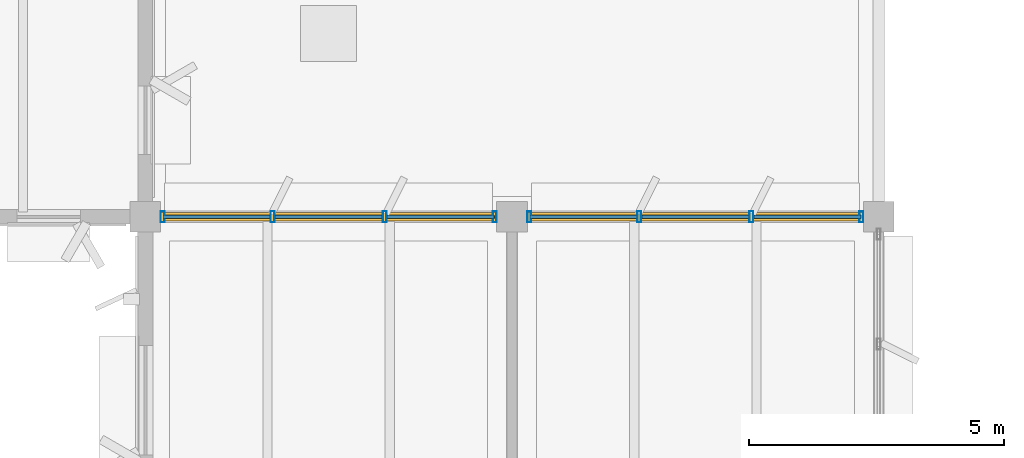
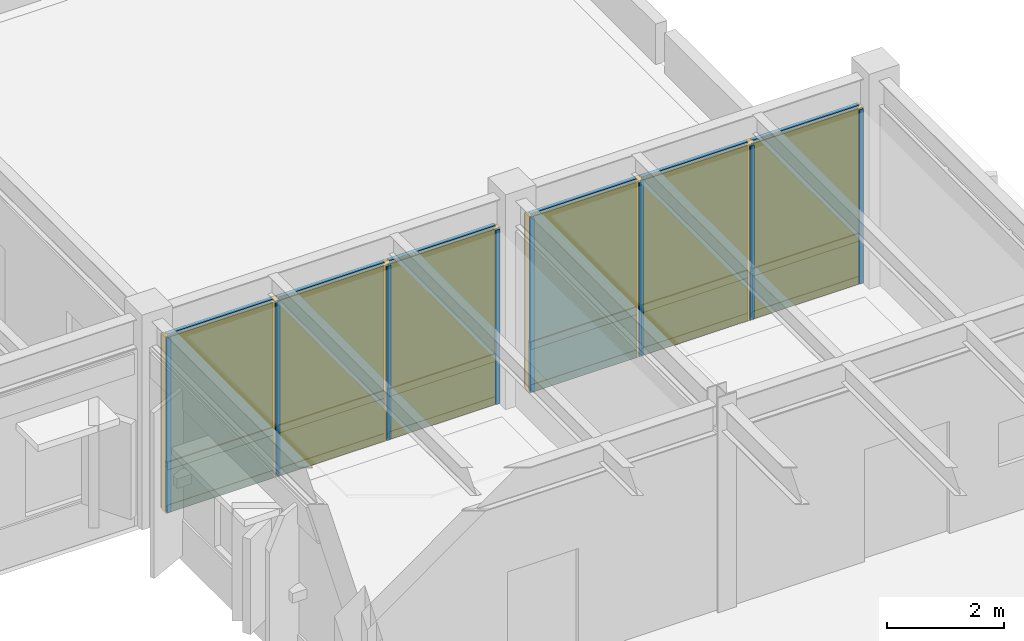
# One storey, part 65 of 92: 26 members, 12 plates, 2 curtain walls.
"""IFC4 building model written with IfcOpenShell, lengths in metres."""

import ifcopenshell
import ifcopenshell.guid

model = None  # the IFC model being written
_history = None  # IfcOwnerHistory: only IFC2X3 demands one
_inside = {}  # id of a spatial element -> (the spatial element, [elements in it])
_under = {}  # id of a project, library or spatial element -> (it, [spatial elements below it])
_declared = {}  # id of a project -> (the project, [libraries it declares])
_typed = {}  # id of a type object -> (the type object, [elements of that type])
_made_of = {}  # id of a material, layer set ... -> (it, [elements and type objects made of it])


def new_model(schema):
    """Start an empty IFC model of exactly this schema.

    Asked for "IFC4X3", IfcOpenShell would pick the latest addendum, in which some entities
    have other attributes; the version numbers below select the first issue.
    IFC2X3 requires an IfcOwnerHistory on every rooted entity: one is made here for all.
    """
    global model, _history
    if schema == "IFC4X3":
        model = ifcopenshell.file(schema_version=(4, 3, 0, 0))
    else:
        model = ifcopenshell.file(schema=schema)
    _inside.clear()
    _under.clear()
    _declared.clear()
    _typed.clear()
    _made_of.clear()
    _history = None
    if model.schema == "IFC2X3":
        org = make("IfcOrganization", Name="unknown")
        user = make(
            "IfcPersonAndOrganization",
            ThePerson=make("IfcPerson", FamilyName="unknown"),
            TheOrganization=org,
        )
        app = make(
            "IfcApplication",
            ApplicationDeveloper=org,
            Version="unknown",
            ApplicationFullName="unknown",
            ApplicationIdentifier="unknown",
        )
        _history = make(
            "IfcOwnerHistory",
            OwningUser=user,
            OwningApplication=app,
            ChangeAction="ADDED",
            CreationDate=0,
        )
    return model


def make(cls, **values):
    """One entity of the class cls with the attributes given. An attribute that is None is left unset."""
    return model.create_entity(
        cls, **{name: value for name, value in values.items() if value is not None}
    )


def rooted(cls, **values):
    """An entity with a GlobalId (a new one), such as an element, a storey or a relation."""
    return make(cls, GlobalId=ifcopenshell.guid.new(), OwnerHistory=_history, **values)


def si_unit(unit_type, name, prefix=None):
    """IfcSIUnit, for example si_unit("LENGTHUNIT", "METRE", prefix="MILLI")."""
    return make("IfcSIUnit", UnitType=unit_type, Prefix=prefix, Name=name)


def assignment(units):
    """IfcUnitAssignment: the units of a project."""
    return None if units is None else make("IfcUnitAssignment", Units=units)


def point(xyz):
    """IfcCartesianPoint."""
    return None if xyz is None else make("IfcCartesianPoint", Coordinates=xyz)


def direction(xyz):
    """IfcDirection."""
    return None if xyz is None else make("IfcDirection", DirectionRatios=xyz)


def frame(location, z_axis=None, x_axis=None):
    """IfcAxis2Placement3D, a coordinate frame: its origin and axes. An axis left out is left unset."""
    return make(
        "IfcAxis2Placement3D",
        Location=point(location),
        Axis=direction(z_axis),
        RefDirection=direction(x_axis),
    )


def frame_2d(location, x_axis=None):
    """IfcAxis2Placement2D, a coordinate frame in the plane: its origin and x axis."""
    return make(
        "IfcAxis2Placement2D", Location=point(location), RefDirection=direction(x_axis)
    )


def origin():
    """The frame at (0, 0, 0) with its axes left unset."""
    return frame((0.0, 0.0, 0.0))


def origin_2d():
    """The frame at (0, 0) in the plane with its x axis left unset."""
    return frame_2d((0.0, 0.0))


def place(relative_to, where):
    """IfcLocalPlacement: puts the frame where relative to a parent placement (None: the world)."""
    return make(
        "IfcLocalPlacement", PlacementRelTo=relative_to, RelativePlacement=where
    )


def context(
    kind, dimensions, precision=None, world=None, true_north=None, identifier=None
):
    """IfcGeometricRepresentationContext, for example the 3D "Model" context."""
    return make(
        "IfcGeometricRepresentationContext",
        ContextIdentifier=identifier,
        ContextType=kind,
        CoordinateSpaceDimension=dimensions,
        Precision=precision,
        WorldCoordinateSystem=world,
        TrueNorth=true_north,
    )


def subcontext(parent, identifier, kind, view, scale=None):
    """IfcGeometricRepresentationSubContext, for example "Body" below "Model"."""
    return make(
        "IfcGeometricRepresentationSubContext",
        ContextIdentifier=identifier,
        ContextType=kind,
        ParentContext=parent,
        TargetScale=scale,
        TargetView=view,
    )


def project(units=None, contexts=None):
    """IfcProject with its units and contexts."""
    return rooted(
        "IfcProject",
        Name="project",
        RepresentationContexts=contexts,
        UnitsInContext=assignment(units),
    )


def spatial(cls, under=None, at=None, **own):
    """A site, building, storey or space (cls), placed at a placement, below another one or the project."""
    s = rooted(cls, ObjectPlacement=at, **own)
    if under is not None:
        _under.setdefault(under.id(), (under, []))[1].append(s)
    return s


def profile(cls, at=None, kind="AREA", **sizes):
    """A parametric profile (cls). Its sizes go by their IFC names, for example OverallWidth=200.0."""
    return make(cls, ProfileType=kind, Position=at, **sizes)


def rectangle(**sizes):
    """IfcRectangleProfileDef."""
    return profile("IfcRectangleProfileDef", **sizes)


def hollow_rectangle(**sizes):
    """IfcRectangleHollowProfileDef."""
    return profile("IfcRectangleHollowProfileDef", **sizes)


def extrude(swept, where, along, depth):
    """IfcExtrudedAreaSolid: the profile swept, set in the frame where, extruded along a direction by depth."""
    return make(
        "IfcExtrudedAreaSolid",
        SweptArea=swept,
        Position=where,
        ExtrudedDirection=direction(along),
        Depth=depth,
    )


def shape(context_of_items, identifier, shape_type, items):
    """IfcShapeRepresentation: the items that make up one representation, for example the "Body"."""
    return make(
        "IfcShapeRepresentation",
        ContextOfItems=context_of_items,
        RepresentationIdentifier=identifier,
        RepresentationType=shape_type,
        Items=items,
    )


def material(Name=None, Category=None):
    """IfcMaterial."""
    return make("IfcMaterial", Name=Name, Category=Category)


def layer(
    of_material, thickness, ventilated=None, Name=None, Category=None, Priority=None
):
    """IfcMaterialLayer: one layer of a wall or slab, of a material (None: an air gap)."""
    return make(
        "IfcMaterialLayer",
        Material=of_material,
        LayerThickness=thickness,
        IsVentilated=ventilated,
        Name=Name,
        Category=Category,
        Priority=Priority,
    )


def layer_set(layers, Name=None):
    """IfcMaterialLayerSet."""
    return make("IfcMaterialLayerSet", MaterialLayers=layers, LayerSetName=Name)


def material_profile(
    of_material, cross_section, Name=None, Category=None, Priority=None
):
    """IfcMaterialProfile: a cross section and its material."""
    return make(
        "IfcMaterialProfile",
        Name=Name,
        Material=of_material,
        Profile=cross_section,
        Priority=Priority,
        Category=Category,
    )


def profile_set(profiles, Name=None, composite=None):
    """IfcMaterialProfileSet."""
    return make(
        "IfcMaterialProfileSet",
        Name=Name,
        MaterialProfiles=profiles,
        CompositeProfile=composite,
    )


def made_of(thing, what):
    """Note that an element or type object is made of a material, layer set ...; save() writes the relation."""
    if what is not None:
        _made_of.setdefault(what.id(), (what, []))[1].append(thing)
    return thing


def type_object(cls, material=None, **own):
    """A type object (cls), such as IfcWallType, which elements share."""
    return made_of(rooted(cls, **own), material)


def element(
    cls,
    number,
    at=None,
    inside=None,
    cuts=None,
    type_object=None,
    material=None,
    context=None,
    identifier="Body",
    shape_type=None,
    held_by="IfcProductDefinitionShape",
    body=None,
    shapes=None,
    **own,
):
    """One element of the class cls, such as IfcWall. Its Tag is "e" and its number.

    at: its placement. inside: the storey or other place that contains it. cuts: it is an
    opening in that element (IfcRelVoidsElement). A single representation is given by context,
    identifier, shape_type and body (its items); several are given by shapes. held_by: the class
    of the entity that holds the representations. save() writes the other relations.
    """
    e = rooted(cls, Tag="e%d" % number, ObjectPlacement=at, **own)
    if body is not None:
        shapes = [shape(context, identifier, shape_type, body)]
    if shapes is not None:
        e.Representation = make(held_by, Representations=shapes)
    if inside is not None:
        _inside.setdefault(inside.id(), (inside, []))[1].append(e)
    if cuts is not None:
        rooted(
            "IfcRelVoidsElement", RelatingBuildingElement=cuts, RelatedOpeningElement=e
        )
    if type_object is not None:
        _typed.setdefault(type_object.id(), (type_object, []))[1].append(e)
    return made_of(e, material)


def aggregate(whole, parts):
    """IfcRelAggregates: a whole, such as a stair, and the parts it consists of."""
    return rooted("IfcRelAggregates", RelatingObject=whole, RelatedObjects=parts)


def save(model, path):
    """Write the relations noted so far, then the file.

    IfcRelAggregates (storeys below a building ...), IfcRelContainedInSpatialStructure (elements
    in a storey), IfcRelDefinesByType, IfcRelAssociatesMaterial and IfcRelDeclares: one each for
    every whole, place, type object, material and project.
    """
    for whole, parts in _under.values():
        aggregate(whole, parts)
    for where, things in _inside.values():
        rooted(
            "IfcRelContainedInSpatialStructure",
            RelatedElements=things,
            RelatingStructure=where,
        )
    for kind, things in _typed.values():
        rooted("IfcRelDefinesByType", RelatedObjects=things, RelatingType=kind)
    for what, things in _made_of.values():
        rooted("IfcRelAssociatesMaterial", RelatedObjects=things, RelatingMaterial=what)
    for by, libraries in _declared.values():
        rooted("IfcRelDeclares", RelatingContext=by, RelatedDefinitions=libraries)
    model.write(path)


model = new_model("IFC4")

# Units and contexts
model_context = context("Model", 3, precision=1e-05, world=origin(), true_north=direction((0.0, 1.0)))
body_context = subcontext(model_context, "Body", "Model", "MODEL_VIEW")
ifc_project = project(units=[si_unit("LENGTHUNIT", "METRE"), si_unit("AREAUNIT", "SQUARE_METRE"), si_unit("VOLUMEUNIT", "CUBIC_METRE"), si_unit("PLANEANGLEUNIT", "RADIAN"), si_unit("MASSUNIT", "GRAM", prefix="KILO")], contexts=[model_context])

# Member
ifc_material_1 = material(Name="Anodized Aluminium 6063-T6", Category="aluminium")
ifc_material_profile_1 = material_profile(ifc_material_1, hollow_rectangle(XDim=0.074951171875, YDim=0.219970703125, WallThickness=0.0048828125, at=origin_2d()), Name="ALU 75x220x5")
ifc_profile_set_1 = profile_set([ifc_material_profile_1], Name="Anodized Aluminium 6063-T6")
member_type_1 = type_object("IfcMemberType", Name="CWM-75X180", PredefinedType="MULLION", material=ifc_profile_set_1)
site_placement = place(None, origin())
building_placement = place(site_placement, origin())
storey_placement = place(building_placement, frame((0.0, 0.0, 5.39990234375)))
member_1_placement = place(storey_placement, frame((122.739990234375, 79.199951171875, 0.02001953125), z_axis=(0.0, 0.0, 1.0), x_axis=(1.0, 0.0, 0.0)))
member_1 = element("IfcMember", 1, at=member_1_placement, type_object=member_type_1, Name="Curtain wall mullion CW-L02-17-10-N-00", PredefinedType="MULLION", context=body_context, shape_type="SweptSolid", body=[
    extrude(hollow_rectangle(XDim=0.074951171875, YDim=0.219970703125, WallThickness=0.0048828125, at=origin_2d()), origin(), (0.0, 0.0, 1.0), 3.648193359375),
])

member_2_placement = place(storey_placement, frame((124.89990234375, 79.199951171875, 0.02001953125), z_axis=(0.0, 0.0, 1.0), x_axis=(1.0, 0.0, 0.0)))
member_2 = element("IfcMember", 2, at=member_2_placement, type_object=member_type_1, Name="Curtain wall mullion CW-L02-17-10-N-01", PredefinedType="MULLION", context=body_context, shape_type="SweptSolid", body=[
    extrude(hollow_rectangle(XDim=0.074951171875, YDim=0.219970703125, WallThickness=0.0048828125, at=origin_2d()), origin(), (0.0, 0.0, 1.0), 3.648193359375),
])

member_3_placement = place(storey_placement, frame((127.10009765625, 79.199951171875, 0.02001953125), z_axis=(0.0, 0.0, 1.0), x_axis=(1.0, 0.0, 0.0)))
member_3 = element("IfcMember", 3, at=member_3_placement, type_object=member_type_1, Name="Curtain wall mullion CW-L02-17-10-N-02", PredefinedType="MULLION", context=body_context, shape_type="SweptSolid", body=[
    extrude(hollow_rectangle(XDim=0.074951171875, YDim=0.219970703125, WallThickness=0.0048828125, at=origin_2d()), origin(), (0.0, 0.0, 1.0), 3.648193359375),
])

member_4_placement = place(storey_placement, frame((129.260009765625, 79.199951171875, 0.02001953125), z_axis=(0.0, 0.0, 1.0), x_axis=(1.0, 0.0, 0.0)))
member_4 = element("IfcMember", 4, at=member_4_placement, type_object=member_type_1, Name="Curtain wall mullion CW-L02-17-10-N-03", PredefinedType="MULLION", context=body_context, shape_type="SweptSolid", body=[
    extrude(hollow_rectangle(XDim=0.074951171875, YDim=0.219970703125, WallThickness=0.0048828125, at=origin_2d()), origin(), (0.0, 0.0, 1.0), 3.648193359375),
])

member_5_placement = place(storey_placement, frame((129.93994140625, 79.199951171875, 0.02001953125), z_axis=(0.0, 0.0, 1.0), x_axis=(1.0, 0.0, 0.0)))
member_5 = element("IfcMember", 5, at=member_5_placement, type_object=member_type_1, Name="Curtain wall mullion CW-L02-18-10-N-00", PredefinedType="MULLION", context=body_context, shape_type="SweptSolid", body=[
    extrude(hollow_rectangle(XDim=0.074951171875, YDim=0.219970703125, WallThickness=0.0048828125, at=origin_2d()), origin(), (0.0, 0.0, 1.0), 3.648193359375),
])

member_6_placement = place(storey_placement, frame((132.10009765625, 79.199951171875, 0.02001953125), z_axis=(0.0, 0.0, 1.0), x_axis=(1.0, 0.0, 0.0)))
member_6 = element("IfcMember", 6, at=member_6_placement, type_object=member_type_1, Name="Curtain wall mullion CW-L02-18-10-N-01", PredefinedType="MULLION", context=body_context, shape_type="SweptSolid", body=[
    extrude(hollow_rectangle(XDim=0.074951171875, YDim=0.219970703125, WallThickness=0.0048828125, at=origin_2d()), origin(), (0.0, 0.0, 1.0), 3.648193359375),
])

member_7_placement = place(storey_placement, frame((134.300048828125, 79.199951171875, 0.02001953125), z_axis=(0.0, 0.0, 1.0), x_axis=(1.0, 0.0, 0.0)))
member_7 = element("IfcMember", 7, at=member_7_placement, type_object=member_type_1, Name="Curtain wall mullion CW-L02-18-10-N-02", PredefinedType="MULLION", context=body_context, shape_type="SweptSolid", body=[
    extrude(hollow_rectangle(XDim=0.074951171875, YDim=0.219970703125, WallThickness=0.0048828125, at=origin_2d()), origin(), (0.0, 0.0, 1.0), 3.648193359375),
])

member_8_placement = place(storey_placement, frame((136.4599609375, 79.199951171875, 0.02001953125), z_axis=(0.0, 0.0, 1.0), x_axis=(1.0, 0.0, 0.0)))
member_8 = element("IfcMember", 8, at=member_8_placement, type_object=member_type_1, Name="Curtain wall mullion CW-L02-18-10-N-03", PredefinedType="MULLION", context=body_context, shape_type="SweptSolid", body=[
    extrude(hollow_rectangle(XDim=0.074951171875, YDim=0.219970703125, WallThickness=0.0048828125, at=origin_2d()), origin(), (0.0, 0.0, 1.0), 3.648193359375),
])

ifc_material_profile_2 = material_profile(ifc_material_1, hollow_rectangle(XDim=0.074951171875, YDim=0.159912109375, WallThickness=0.00390625, at=origin_2d()), Name="ALU 75x160x4")
ifc_profile_set_2 = profile_set([ifc_material_profile_2], Name="Anodized Aluminium 6063-T6")
member_type_2 = type_object("IfcMemberType", Name="CWT-75X150", PredefinedType="USERDEFINED", material=ifc_profile_set_2)
member_9_placement = place(storey_placement, frame((122.75, 79.199951171875, 0.050048828125), z_axis=(1.0, 0.0, 0.0), x_axis=(0.0, 1.0, 0.0)))
member_9 = element("IfcMember", 9, at=member_9_placement, type_object=member_type_2, Name="Curtain wall transom CW-L02-17-10-N-1.01", ObjectType="TRANSOM", PredefinedType="USERDEFINED", context=body_context, shape_type="SweptSolid", body=[
    extrude(hollow_rectangle(XDim=0.074951171875, YDim=0.159912109375, WallThickness=0.00390625, at=origin_2d()), origin(), (0.0, 0.0, 1.0), 2.10009765625),
])

member_10_placement = place(storey_placement, frame((124.949951171875, 79.199951171875, 0.050048828125), z_axis=(1.0, 0.0, 0.0), x_axis=(0.0, 1.0, 0.0)))
member_10 = element("IfcMember", 10, at=member_10_placement, type_object=member_type_2, Name="Curtain wall transom CW-L02-17-10-N-1.02", ObjectType="TRANSOM", PredefinedType="USERDEFINED", context=body_context, shape_type="SweptSolid", body=[
    extrude(hollow_rectangle(XDim=0.074951171875, YDim=0.159912109375, WallThickness=0.00390625, at=origin_2d()), origin(), (0.0, 0.0, 1.0), 2.10009765625),
])

member_11_placement = place(storey_placement, frame((127.14990234375, 79.199951171875, 0.050048828125), z_axis=(1.0, 0.0, 0.0), x_axis=(0.0, 1.0, 0.0)))
member_11 = element("IfcMember", 11, at=member_11_placement, type_object=member_type_2, Name="Curtain wall transom CW-L02-17-10-N-1.03", ObjectType="TRANSOM", PredefinedType="USERDEFINED", context=body_context, shape_type="SweptSolid", body=[
    extrude(hollow_rectangle(XDim=0.074951171875, YDim=0.159912109375, WallThickness=0.00390625, at=origin_2d()), origin(), (0.0, 0.0, 1.0), 2.10009765625),
])

member_12_placement = place(storey_placement, frame((122.75, 79.199951171875, 0.9501953125), z_axis=(1.0, 0.0, 0.0), x_axis=(0.0, 1.0, 0.0)))
member_12 = element("IfcMember", 12, at=member_12_placement, type_object=member_type_2, Name="Curtain wall transom CW-L02-17-10-N-2.01", ObjectType="TRANSOM", PredefinedType="USERDEFINED", context=body_context, shape_type="SweptSolid", body=[
    extrude(hollow_rectangle(XDim=0.074951171875, YDim=0.159912109375, WallThickness=0.00390625, at=origin_2d()), origin(), (0.0, 0.0, 1.0), 2.10009765625),
])

member_13_placement = place(storey_placement, frame((124.949951171875, 79.199951171875, 0.9501953125), z_axis=(1.0, 0.0, 0.0), x_axis=(0.0, 1.0, 0.0)))
member_13 = element("IfcMember", 13, at=member_13_placement, type_object=member_type_2, Name="Curtain wall transom CW-L02-17-10-N-2.02", ObjectType="TRANSOM", PredefinedType="USERDEFINED", context=body_context, shape_type="SweptSolid", body=[
    extrude(hollow_rectangle(XDim=0.074951171875, YDim=0.159912109375, WallThickness=0.00390625, at=origin_2d()), origin(), (0.0, 0.0, 1.0), 2.10009765625),
])

member_14_placement = place(storey_placement, frame((127.14990234375, 79.199951171875, 0.9501953125), z_axis=(1.0, 0.0, 0.0), x_axis=(0.0, 1.0, 0.0)))
member_14 = element("IfcMember", 14, at=member_14_placement, type_object=member_type_2, Name="Curtain wall transom CW-L02-17-10-N-2.03", ObjectType="TRANSOM", PredefinedType="USERDEFINED", context=body_context, shape_type="SweptSolid", body=[
    extrude(hollow_rectangle(XDim=0.074951171875, YDim=0.159912109375, WallThickness=0.00390625, at=origin_2d()), origin(), (0.0, 0.0, 1.0), 2.10009765625),
])

member_15_placement = place(storey_placement, frame((122.75, 79.199951171875, 3.63818359375), z_axis=(1.0, 0.0, 0.0), x_axis=(0.0, 1.0, 0.0)))
member_15 = element("IfcMember", 15, at=member_15_placement, type_object=member_type_2, Name="Curtain wall transom CW-L02-17-10-N-3.01", ObjectType="TRANSOM", PredefinedType="USERDEFINED", context=body_context, shape_type="SweptSolid", body=[
    extrude(hollow_rectangle(XDim=0.074951171875, YDim=0.159912109375, WallThickness=0.00390625, at=origin_2d()), origin(), (0.0, 0.0, 1.0), 2.10009765625),
])

member_16_placement = place(storey_placement, frame((124.949951171875, 79.199951171875, 3.63818359375), z_axis=(1.0, 0.0, 0.0), x_axis=(0.0, 1.0, 0.0)))
member_16 = element("IfcMember", 16, at=member_16_placement, type_object=member_type_2, Name="Curtain wall transom CW-L02-17-10-N-3.02", ObjectType="TRANSOM", PredefinedType="USERDEFINED", context=body_context, shape_type="SweptSolid", body=[
    extrude(hollow_rectangle(XDim=0.074951171875, YDim=0.159912109375, WallThickness=0.00390625, at=origin_2d()), origin(), (0.0, 0.0, 1.0), 2.10009765625),
])

member_17_placement = place(storey_placement, frame((127.14990234375, 79.199951171875, 3.63818359375), z_axis=(1.0, 0.0, 0.0), x_axis=(0.0, 1.0, 0.0)))
member_17 = element("IfcMember", 17, at=member_17_placement, type_object=member_type_2, Name="Curtain wall transom CW-L02-17-10-N-3.03", ObjectType="TRANSOM", PredefinedType="USERDEFINED", context=body_context, shape_type="SweptSolid", body=[
    extrude(hollow_rectangle(XDim=0.074951171875, YDim=0.159912109375, WallThickness=0.00390625, at=origin_2d()), origin(), (0.0, 0.0, 1.0), 2.10009765625),
])

member_18_placement = place(storey_placement, frame((129.949951171875, 79.199951171875, 0.050048828125), z_axis=(1.0, 0.0, 0.0), x_axis=(0.0, 1.0, 0.0)))
member_18 = element("IfcMember", 18, at=member_18_placement, type_object=member_type_2, Name="Curtain wall transom CW-L02-18-10-N-1.01", ObjectType="TRANSOM", PredefinedType="USERDEFINED", context=body_context, shape_type="SweptSolid", body=[
    extrude(hollow_rectangle(XDim=0.074951171875, YDim=0.159912109375, WallThickness=0.00390625, at=origin_2d()), origin(), (0.0, 0.0, 1.0), 2.10009765625),
])

member_19_placement = place(storey_placement, frame((132.14990234375, 79.199951171875, 0.050048828125), z_axis=(1.0, 0.0, 0.0), x_axis=(0.0, 1.0, 0.0)))
member_19 = element("IfcMember", 19, at=member_19_placement, type_object=member_type_2, Name="Curtain wall transom CW-L02-18-10-N-1.02", ObjectType="TRANSOM", PredefinedType="USERDEFINED", context=body_context, shape_type="SweptSolid", body=[
    extrude(hollow_rectangle(XDim=0.074951171875, YDim=0.159912109375, WallThickness=0.00390625, at=origin_2d()), origin(), (0.0, 0.0, 1.0), 2.10009765625),
])

member_20_placement = place(storey_placement, frame((134.35009765625, 79.199951171875, 0.050048828125), z_axis=(1.0, 0.0, 0.0), x_axis=(0.0, 1.0, 0.0)))
member_20 = element("IfcMember", 20, at=member_20_placement, type_object=member_type_2, Name="Curtain wall transom CW-L02-18-10-N-1.03", ObjectType="TRANSOM", PredefinedType="USERDEFINED", context=body_context, shape_type="SweptSolid", body=[
    extrude(hollow_rectangle(XDim=0.074951171875, YDim=0.159912109375, WallThickness=0.00390625, at=origin_2d()), origin(), (0.0, 0.0, 1.0), 2.099853515625),
])

member_21_placement = place(storey_placement, frame((129.949951171875, 79.199951171875, 0.9501953125), z_axis=(1.0, 0.0, 0.0), x_axis=(0.0, 1.0, 0.0)))
member_21 = element("IfcMember", 21, at=member_21_placement, type_object=member_type_2, Name="Curtain wall transom CW-L02-18-10-N-2.01", ObjectType="TRANSOM", PredefinedType="USERDEFINED", context=body_context, shape_type="SweptSolid", body=[
    extrude(hollow_rectangle(XDim=0.074951171875, YDim=0.159912109375, WallThickness=0.00390625, at=origin_2d()), origin(), (0.0, 0.0, 1.0), 2.10009765625),
])

member_22_placement = place(storey_placement, frame((132.14990234375, 79.199951171875, 0.9501953125), z_axis=(1.0, 0.0, 0.0), x_axis=(0.0, 1.0, 0.0)))
member_22 = element("IfcMember", 22, at=member_22_placement, type_object=member_type_2, Name="Curtain wall transom CW-L02-18-10-N-2.02", ObjectType="TRANSOM", PredefinedType="USERDEFINED", context=body_context, shape_type="SweptSolid", body=[
    extrude(hollow_rectangle(XDim=0.074951171875, YDim=0.159912109375, WallThickness=0.00390625, at=origin_2d()), origin(), (0.0, 0.0, 1.0), 2.10009765625),
])

member_23_placement = place(storey_placement, frame((134.35009765625, 79.199951171875, 0.9501953125), z_axis=(1.0, 0.0, 0.0), x_axis=(0.0, 1.0, 0.0)))
member_23 = element("IfcMember", 23, at=member_23_placement, type_object=member_type_2, Name="Curtain wall transom CW-L02-18-10-N-2.03", ObjectType="TRANSOM", PredefinedType="USERDEFINED", context=body_context, shape_type="SweptSolid", body=[
    extrude(hollow_rectangle(XDim=0.074951171875, YDim=0.159912109375, WallThickness=0.00390625, at=origin_2d()), origin(), (0.0, 0.0, 1.0), 2.099853515625),
])

member_24_placement = place(storey_placement, frame((129.949951171875, 79.199951171875, 3.63818359375), z_axis=(1.0, 0.0, 0.0), x_axis=(0.0, 1.0, 0.0)))
member_24 = element("IfcMember", 24, at=member_24_placement, type_object=member_type_2, Name="Curtain wall transom CW-L02-18-10-N-3.01", ObjectType="TRANSOM", PredefinedType="USERDEFINED", context=body_context, shape_type="SweptSolid", body=[
    extrude(hollow_rectangle(XDim=0.074951171875, YDim=0.159912109375, WallThickness=0.00390625, at=origin_2d()), origin(), (0.0, 0.0, 1.0), 2.10009765625),
])

member_25_placement = place(storey_placement, frame((132.14990234375, 79.199951171875, 3.63818359375), z_axis=(1.0, 0.0, 0.0), x_axis=(0.0, 1.0, 0.0)))
member_25 = element("IfcMember", 25, at=member_25_placement, type_object=member_type_2, Name="Curtain wall transom CW-L02-18-10-N-3.02", ObjectType="TRANSOM", PredefinedType="USERDEFINED", context=body_context, shape_type="SweptSolid", body=[
    extrude(hollow_rectangle(XDim=0.074951171875, YDim=0.159912109375, WallThickness=0.00390625, at=origin_2d()), origin(), (0.0, 0.0, 1.0), 2.10009765625),
])

member_26_placement = place(storey_placement, frame((134.35009765625, 79.199951171875, 3.63818359375), z_axis=(1.0, 0.0, 0.0), x_axis=(0.0, 1.0, 0.0)))
member_26 = element("IfcMember", 26, at=member_26_placement, type_object=member_type_2, Name="Curtain wall transom CW-L02-18-10-N-3.03", ObjectType="TRANSOM", PredefinedType="USERDEFINED", context=body_context, shape_type="SweptSolid", body=[
    extrude(hollow_rectangle(XDim=0.074951171875, YDim=0.159912109375, WallThickness=0.00390625, at=origin_2d()), origin(), (0.0, 0.0, 1.0), 2.099853515625),
])

# Plate
ifc_material_2 = material(Name="Acoustic Laminated Low-E Glazing", Category="glass")
ifc_layer_1 = layer(ifc_material_2, 0.0439453125)
ifc_layer_set_1 = layer_set([ifc_layer_1], Name="Acoustic Laminated Low-E Glazing")
plate_type_1 = type_object("IfcPlateType", Name="CWP-IGU-44", PredefinedType="CURTAIN_PANEL", material=ifc_layer_set_1)
plate_1_placement = place(storey_placement, frame((123.800048828125, 79.199951171875, 0.990234375), z_axis=(0.0, 0.0, 1.0), x_axis=(1.0, 0.0, 0.0)))
plate_1 = element("IfcPlate", 27, at=plate_1_placement, type_object=plate_type_1, Name="Curtain wall vision glazing CW-L02-17-10-N-01", PredefinedType="CURTAIN_PANEL", context=body_context, shape_type="SweptSolid", body=[
    extrude(rectangle(XDim=2.110107421875, YDim=0.0400390625, at=origin_2d()), origin(), (0.0, 0.0, 1.0), 2.637939453125),
])

plate_2_placement = place(storey_placement, frame((126.0, 79.199951171875, 0.990234375), z_axis=(0.0, 0.0, 1.0), x_axis=(1.0, 0.0, 0.0)))
plate_2 = element("IfcPlate", 28, at=plate_2_placement, type_object=plate_type_1, Name="Curtain wall vision glazing CW-L02-17-10-N-02", PredefinedType="CURTAIN_PANEL", context=body_context, shape_type="SweptSolid", body=[
    extrude(rectangle(XDim=2.110107421875, YDim=0.0400390625, at=origin_2d()), origin(), (0.0, 0.0, 1.0), 2.637939453125),
])

plate_3_placement = place(storey_placement, frame((128.199951171875, 79.199951171875, 0.990234375), z_axis=(0.0, 0.0, 1.0), x_axis=(1.0, 0.0, 0.0)))
plate_3 = element("IfcPlate", 29, at=plate_3_placement, type_object=plate_type_1, Name="Curtain wall vision glazing CW-L02-17-10-N-03", PredefinedType="CURTAIN_PANEL", context=body_context, shape_type="SweptSolid", body=[
    extrude(rectangle(XDim=2.110107421875, YDim=0.0400390625, at=origin_2d()), origin(), (0.0, 0.0, 1.0), 2.637939453125),
])

plate_4_placement = place(storey_placement, frame((131.0, 79.199951171875, 0.990234375), z_axis=(0.0, 0.0, 1.0), x_axis=(1.0, 0.0, 0.0)))
plate_4 = element("IfcPlate", 30, at=plate_4_placement, type_object=plate_type_1, Name="Curtain wall vision glazing CW-L02-18-10-N-01", PredefinedType="CURTAIN_PANEL", context=body_context, shape_type="SweptSolid", body=[
    extrude(rectangle(XDim=2.110107421875, YDim=0.0400390625, at=origin_2d()), origin(), (0.0, 0.0, 1.0), 2.637939453125),
])

plate_5_placement = place(storey_placement, frame((133.199951171875, 79.199951171875, 0.990234375), z_axis=(0.0, 0.0, 1.0), x_axis=(1.0, 0.0, 0.0)))
plate_5 = element("IfcPlate", 31, at=plate_5_placement, type_object=plate_type_1, Name="Curtain wall vision glazing CW-L02-18-10-N-02", PredefinedType="CURTAIN_PANEL", context=body_context, shape_type="SweptSolid", body=[
    extrude(rectangle(XDim=2.110107421875, YDim=0.0400390625, at=origin_2d()), origin(), (0.0, 0.0, 1.0), 2.637939453125),
])

plate_6_placement = place(storey_placement, frame((135.39990234375, 79.199951171875, 0.990234375), z_axis=(0.0, 0.0, 1.0), x_axis=(1.0, 0.0, 0.0)))
plate_6 = element("IfcPlate", 32, at=plate_6_placement, type_object=plate_type_1, Name="Curtain wall vision glazing CW-L02-18-10-N-03", PredefinedType="CURTAIN_PANEL", context=body_context, shape_type="SweptSolid", body=[
    extrude(rectangle(XDim=2.110107421875, YDim=0.0400390625, at=origin_2d()), origin(), (0.0, 0.0, 1.0), 2.637939453125),
])

ifc_material_3 = material(Name="Insulated Stone-Composite Spandrel", Category="masonry")
ifc_layer_2 = layer(ifc_material_3, 0.068115234375)
ifc_layer_set_2 = layer_set([ifc_layer_2], Name="Insulated Stone-Composite Spandrel")
plate_type_2 = type_object("IfcPlateType", Name="CWP-SPN-68", PredefinedType="CURTAIN_PANEL", material=ifc_layer_set_2)
plate_7_placement = place(storey_placement, frame((123.800048828125, 79.199951171875, 0.080078125), z_axis=(0.0, 0.0, 1.0), x_axis=(1.0, 0.0, 0.0)))
plate_7 = element("IfcPlate", 33, at=plate_7_placement, type_object=plate_type_2, Name="Curtain wall spandrel panel CW-L02-17-10-N-01", PredefinedType="CURTAIN_PANEL", context=body_context, shape_type="SweptSolid", body=[
    extrude(rectangle(XDim=2.110107421875, YDim=0.06005859375, at=origin_2d()), origin(), (0.0, 0.0, 1.0), 0.840087890625),
])

plate_8_placement = place(storey_placement, frame((126.0, 79.199951171875, 0.080078125), z_axis=(0.0, 0.0, 1.0), x_axis=(1.0, 0.0, 0.0)))
plate_8 = element("IfcPlate", 34, at=plate_8_placement, type_object=plate_type_2, Name="Curtain wall spandrel panel CW-L02-17-10-N-02", PredefinedType="CURTAIN_PANEL", context=body_context, shape_type="SweptSolid", body=[
    extrude(rectangle(XDim=2.110107421875, YDim=0.06005859375, at=origin_2d()), origin(), (0.0, 0.0, 1.0), 0.840087890625),
])

plate_9_placement = place(storey_placement, frame((128.199951171875, 79.199951171875, 0.080078125), z_axis=(0.0, 0.0, 1.0), x_axis=(1.0, 0.0, 0.0)))
plate_9 = element("IfcPlate", 35, at=plate_9_placement, type_object=plate_type_2, Name="Curtain wall spandrel panel CW-L02-17-10-N-03", PredefinedType="CURTAIN_PANEL", context=body_context, shape_type="SweptSolid", body=[
    extrude(rectangle(XDim=2.110107421875, YDim=0.06005859375, at=origin_2d()), origin(), (0.0, 0.0, 1.0), 0.840087890625),
])

plate_10_placement = place(storey_placement, frame((131.0, 79.199951171875, 0.080078125), z_axis=(0.0, 0.0, 1.0), x_axis=(1.0, 0.0, 0.0)))
plate_10 = element("IfcPlate", 36, at=plate_10_placement, type_object=plate_type_2, Name="Curtain wall spandrel panel CW-L02-18-10-N-01", PredefinedType="CURTAIN_PANEL", context=body_context, shape_type="SweptSolid", body=[
    extrude(rectangle(XDim=2.110107421875, YDim=0.06005859375, at=origin_2d()), origin(), (0.0, 0.0, 1.0), 0.840087890625),
])

plate_11_placement = place(storey_placement, frame((133.199951171875, 79.199951171875, 0.080078125), z_axis=(0.0, 0.0, 1.0), x_axis=(1.0, 0.0, 0.0)))
plate_11 = element("IfcPlate", 37, at=plate_11_placement, type_object=plate_type_2, Name="Curtain wall spandrel panel CW-L02-18-10-N-02", PredefinedType="CURTAIN_PANEL", context=body_context, shape_type="SweptSolid", body=[
    extrude(rectangle(XDim=2.110107421875, YDim=0.06005859375, at=origin_2d()), origin(), (0.0, 0.0, 1.0), 0.840087890625),
])

plate_12_placement = place(storey_placement, frame((135.39990234375, 79.199951171875, 0.080078125), z_axis=(0.0, 0.0, 1.0), x_axis=(1.0, 0.0, 0.0)))
plate_12 = element("IfcPlate", 38, at=plate_12_placement, type_object=plate_type_2, Name="Curtain wall spandrel panel CW-L02-18-10-N-03", PredefinedType="CURTAIN_PANEL", context=body_context, shape_type="SweptSolid", body=[
    extrude(rectangle(XDim=2.110107421875, YDim=0.06005859375, at=origin_2d()), origin(), (0.0, 0.0, 1.0), 0.840087890625),
])

# Site, building, storey
site = spatial("IfcSite", under=ifc_project, at=site_placement, CompositionType="ELEMENT")
building = spatial("IfcBuilding", under=site, at=building_placement, Name="Sillqori Civic Hall", CompositionType="ELEMENT")
storey = spatial("IfcBuildingStorey", under=building, at=storey_placement, Name="L02", CompositionType="ELEMENT", Elevation=5.39990234375)

# Curtain wall
ifc_material_4 = material(Name="Anodized Aluminium Curtain Wall System", Category="aluminium")
curtain_wall_type = type_object("IfcCurtainWallType", Name="CW-GL-430", PredefinedType="NOTDEFINED", material=ifc_material_4)
curtain_wall_1_placement = place(storey_placement, frame((126.0, 79.199951171875, 0.0), z_axis=(0.0, 0.0, 1.0), x_axis=(1.0, 0.0, 0.0)))
curtain_wall_1 = element("IfcCurtainWall", 39, at=curtain_wall_1_placement, inside=storey, type_object=curtain_wall_type, Name="L02 unitised curtain wall CW-L02-17-10-N", PredefinedType="NOTDEFINED", context=body_context, shape_type="SweptSolid", body=[
    extrude(rectangle(XDim=6.60009765625, YDim=0.159912109375, at=origin_2d()), origin(), (0.0, 0.0, 1.0), 3.68798828125),
])

aggregate(curtain_wall_1, [member_1, member_2, member_3, member_4, member_9, member_10, member_11, member_12, member_13, member_14, member_15, member_16, member_17, plate_7, plate_1, plate_8, plate_2, plate_9, plate_3])

curtain_wall_2_placement = place(storey_placement, frame((133.199951171875, 79.199951171875, 0.0), z_axis=(0.0, 0.0, 1.0), x_axis=(1.0, 0.0, 0.0)))
curtain_wall_2 = element("IfcCurtainWall", 40, at=curtain_wall_2_placement, inside=storey, type_object=curtain_wall_type, Name="L02 unitised curtain wall CW-L02-18-10-N", PredefinedType="NOTDEFINED", context=body_context, shape_type="SweptSolid", body=[
    extrude(rectangle(XDim=6.60009765625, YDim=0.159912109375, at=origin_2d()), origin(), (0.0, 0.0, 1.0), 3.68798828125),
])

aggregate(curtain_wall_2, [member_5, member_6, member_7, member_8, member_18, member_19, member_20, member_21, member_22, member_23, member_24, member_25, member_26, plate_10, plate_4, plate_11, plate_5, plate_12, plate_6])

save(model, "model.ifc")
